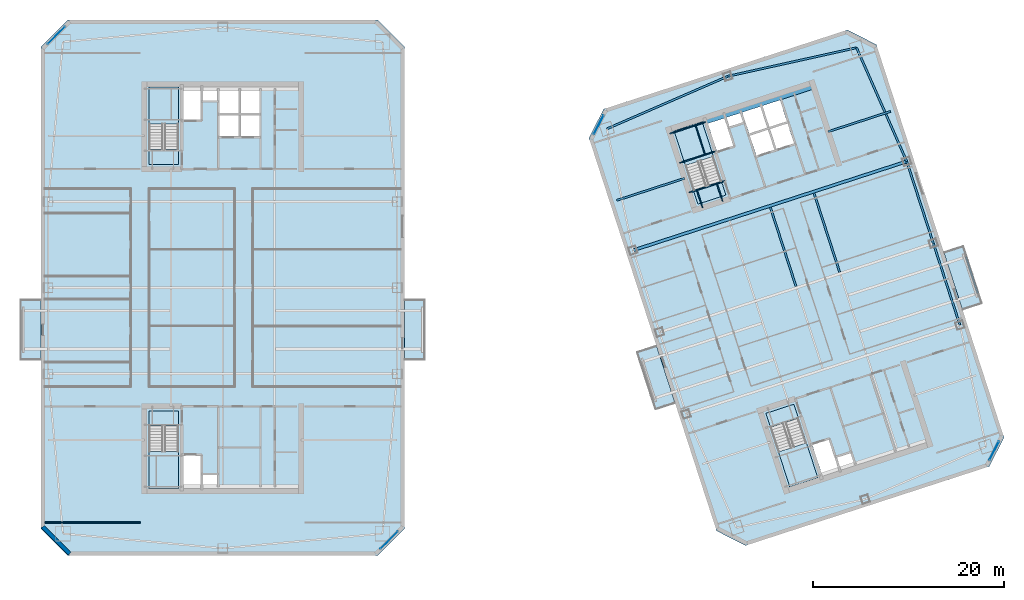
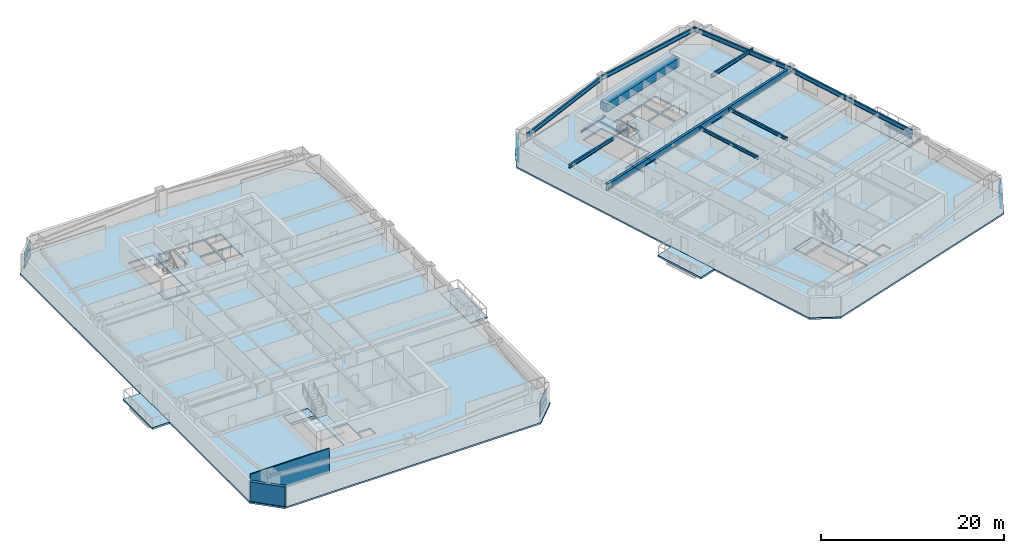
# One storey, part 11 of 22: 18 beams, 14 slabs, 8 plates, 2 walls, 8 elements without a shape of their own.
"""IFC4 building model written with IfcOpenShell, lengths in metres."""

from ifc_helpers import new_model, si_unit, direction, frame, frame_2d, origin, origin_2d, place, context, subcontext, project, spatial, polyline, rectangle, i_section, outline, extrude, material, layer, layer_set, material_profile, profile_set, type_object, element, aggregate, save


model = new_model("IFC4")

# Units and contexts
model_context = context("Model", 3, precision=1e-05, world=origin(), true_north=direction((0.0, 1.0)))
body_context = subcontext(model_context, "Body", "Model", "MODEL_VIEW")
ifc_project = project(units=[si_unit("LENGTHUNIT", "METRE"), si_unit("AREAUNIT", "SQUARE_METRE"), si_unit("VOLUMEUNIT", "CUBIC_METRE"), si_unit("PLANEANGLEUNIT", "RADIAN"), si_unit("MASSUNIT", "GRAM", prefix="KILO")], contexts=[model_context])

# Site, building, storey
site_placement = place(None, origin())
site = spatial("IfcSite", under=ifc_project, at=site_placement, CompositionType="ELEMENT")
building_placement = place(site_placement, origin())
building = spatial("IfcBuilding", under=site, at=building_placement, Name="Qiaolan Cultural Towers", CompositionType="ELEMENT")
storey_placement = place(building_placement, frame((0.0, 0.0, 146.050048828125)))
storey = spatial("IfcBuildingStorey", under=building, at=storey_placement, Name="L38", CompositionType="ELEMENT", Elevation=146.050048828125)

# Beams
ifc_material_1 = material(Name="Steel Q355B", Category="steel")
ifc_material_profile_1 = material_profile(ifc_material_1, i_section(OverallWidth=0.300048828125, OverallDepth=0.800048828125, WebThickness=0.013916015625, FlangeThickness=0.02587890625, at=origin_2d()), Name="HN800x300x14x26")
ifc_profile_set_1 = profile_set([ifc_material_profile_1], Name="Steel Q355B")
beam_type_1 = type_object("IfcBeamType", Name="BM-HN800x300x14x26", PredefinedType="BEAM", material=ifc_profile_set_1)
beam_1_placement = place(storey_placement, frame((72.905517578125, 37.90869140625, 2.7900390625), z_axis=(0.951055226628, 0.309020963535, 0.0), x_axis=(-0.309020963535, 0.951055226628, 0.0)))
element("IfcBeam", 1, at=beam_1_placement, inside=storey, type_object=beam_type_1, Name="L38 T2 Primary Transverse Girder V3", PredefinedType="BEAM", context=body_context, shape_type="SweptSolid", body=[
    extrude(i_section(OverallWidth=0.300048828125, OverallDepth=0.800048828125, WebThickness=0.013916015625, FlangeThickness=0.02587890625, at=origin_2d()), origin(), (0.0, 0.0, 1.0), 30.099853515625),
])
ifc_material_2 = material(Name="Steel Q355B", Category="steel")
ifc_material_profile_2 = material_profile(ifc_material_2, i_section(OverallWidth=0.175048828125, OverallDepth=0.35009765625, WebThickness=0.007080078125, FlangeThickness=0.010986328125, at=origin_2d()), Name="HN350x175x7x11")
ifc_profile_set_2 = profile_set([ifc_material_profile_2], Name="Steel Q355B")
beam_type_2 = type_object("IfcBeamType", Name="BM-JST-HN350x175x7x11", PredefinedType="JOIST", material=ifc_profile_set_2)
beam_2_placement = place(storey_placement, frame((108.9541015625, 33.42919921875, -0.524169921875), z_axis=(-0.309022586479, 0.951054699292, 0.0), x_axis=(-0.951054699292, -0.309022586479, 0.0)))
element("IfcBeam", 2, at=beam_2_placement, inside=storey, type_object=beam_type_2, Name="L38 T2 Tree Balcony Outer Edge Beam", PredefinedType="JOIST", context=body_context, shape_type="SweptSolid", body=[
    extrude(i_section(OverallWidth=0.175048828125, OverallDepth=0.35009765625, WebThickness=0.007080078125, FlangeThickness=0.010986328125, at=origin_2d()), origin(), (0.0, 0.0, 1.0), 4.0),
])
ifc_material_3 = material(Name="Steel Q355B", Category="steel")
ifc_material_profile_3 = material_profile(ifc_material_3, i_section(OverallWidth=0.199951171875, OverallDepth=0.39990234375, WebThickness=0.008056640625, FlangeThickness=0.012939453125, at=origin_2d()), Name="HN400x200x8x13")
ifc_profile_set_3 = profile_set([ifc_material_profile_3], Name="Steel Q355B")
beam_type_3 = type_object("IfcBeamType", Name="BM-JST-HN400x200x8x13", PredefinedType="JOIST", material=ifc_profile_set_3)
for number, where, z_axis, x_axis, name in (
    (3, (89.95361328125, 34.142578125, 2.989990234375), (-0.309020714809, 0.951055307445, 0.0), (-0.951055307445, -0.309020714809, 0.0), "L38 T2 Secondary Floor Joist U2-3"),
    (4, (94.518798828125, 35.6259765625, 2.989990234375), (-0.309020714809, 0.951055307445, 0.0), (-0.951055307445, -0.309020714809, 0.0), "L38 T2 Secondary Floor Joist U3-3"),
):
    element("IfcBeam", number, at=place(storey_placement, frame(where, z_axis=z_axis, x_axis=x_axis)), inside=storey, type_object=beam_type_3, Name=name, PredefinedType="JOIST", context=body_context, shape_type="SweptSolid", body=[
        extrude(i_section(OverallWidth=0.199951171875, OverallDepth=0.39990234375, WebThickness=0.008056640625, FlangeThickness=0.012939453125, at=origin_2d()), origin(), (0.0, 0.0, 1.0), 8.699951171875),
    ])
ifc_material_4 = material(Name="Steel Q355B", Category="steel")
ifc_material_profile_4 = material_profile(ifc_material_4, i_section(OverallWidth=0.199951171875, OverallDepth=0.449951171875, WebThickness=0.009033203125, FlangeThickness=0.013916015625, at=origin_2d()), Name="HN450x200x9x14")
ifc_profile_set_4 = profile_set([ifc_material_profile_4], Name="Steel Q355B")
beam_type_4 = type_object("IfcBeamType", Name="BM-LNT-HN450x200x9x14", PredefinedType="LINTEL", material=ifc_profile_set_4)
beam_3_placement = place(storey_placement, frame((78.291259765625, 45.44189453125, 2.96484375), z_axis=(-0.951054777171, -0.309022346796, 0.0), x_axis=(0.309022346796, -0.951054777171, 0.0)))
element("IfcBeam", 5, at=beam_3_placement, inside=storey, type_object=beam_type_4, Name="L38 T2 Core Flank Tie Lintel WN", PredefinedType="LINTEL", context=body_context, shape_type="SweptSolid", body=[
    extrude(i_section(OverallWidth=0.199951171875, OverallDepth=0.449951171875, WebThickness=0.009033203125, FlangeThickness=0.013916015625, at=origin_2d()), origin(), (0.0, 0.0, 1.0), 7.4501953125),
])
beam_4_placement = place(storey_placement, frame((93.31787109375, 50.32421875, 2.96484375), z_axis=(0.951061565824, 0.30900145309, 0.0), x_axis=(-0.30900145309, 0.951061565824, 0.0)))
element("IfcBeam", 6, at=beam_4_placement, inside=storey, type_object=beam_type_4, Name="L38 T2 Core Flank Tie Lintel EN", PredefinedType="LINTEL", context=body_context, shape_type="SweptSolid", body=[
    extrude(i_section(OverallWidth=0.199951171875, OverallDepth=0.449951171875, WebThickness=0.009033203125, FlangeThickness=0.013916015625, at=origin_2d()), origin(), (0.0, 0.0, 1.0), 6.85009765625),
])
ifc_material_5 = material(Name="Concrete C50", Category="concrete")
ifc_material_profile_5 = material_profile(ifc_material_5, rectangle(XDim=0.89990234375, YDim=1.10009765625, at=origin_2d()), Name="RC900x1100")
ifc_profile_set_5 = profile_set([ifc_material_profile_5], Name="Concrete C50")
beam_type_5 = type_object("IfcBeamType", Name="BM-RC900x1100", PredefinedType="BEAM", material=ifc_profile_set_5)
beam_5_placement = place(storey_placement, frame((80.427978515625, 51.551025390625, 2.639892578125), z_axis=(0.951056266386, 0.309017763514, 0.0), x_axis=(-0.309017763514, 0.951056266386, 0.0)))
element("IfcBeam", 7, at=beam_5_placement, inside=storey, type_object=beam_type_5, Name="L38 T2 Core Header Girder N", PredefinedType="BEAM", context=body_context, shape_type="SweptSolid", body=[
    extrude(rectangle(XDim=0.89990234375, YDim=1.10009765625, at=origin_2d()), origin(), (0.0, 0.0, 1.0), 11.880126953125),
])
ifc_material_6 = material(Name="Steel Q355B", Category="steel")
ifc_material_profile_6 = material_profile(ifc_material_6, i_section(OverallWidth=0.199951171875, OverallDepth=0.60009765625, WebThickness=0.010986328125, FlangeThickness=0.01708984375, at=origin_2d()), Name="HN600x200x11x17")
ifc_profile_set_6 = profile_set([ifc_material_profile_6], Name="Steel Q355B")
beam_type_6 = type_object("IfcBeamType", Name="BM-SPD-HN600x200x11x17", PredefinedType="SPANDREL", material=ifc_profile_set_6)
beam_6_placement = place(storey_placement, frame((107.094482421875, 30.09130859375, 2.889892578125), z_axis=(-0.309008170129, 0.951059383421, 0.0), x_axis=(-0.951059383421, -0.309008170129, 0.0)))
element("IfcBeam", 8, at=beam_6_placement, inside=storey, type_object=beam_type_6, Name="L38 T2 Perimeter Spandrel Beam 4", PredefinedType="SPANDREL", context=body_context, shape_type="SweptSolid", body=[
    extrude(i_section(OverallWidth=0.199951171875, OverallDepth=0.60009765625, WebThickness=0.010986328125, FlangeThickness=0.01708984375, at=origin_2d()), origin(), (0.0, 0.0, 1.0), 8.999755859375),
])
beam_7_placement = place(storey_placement, frame((104.3134765625, 38.650634765625, 2.889892578125), z_axis=(-0.309024734286, 0.951054001411, 0.0), x_axis=(-0.951054001411, -0.309024734286, 0.0)))
element("IfcBeam", 9, at=beam_7_placement, inside=storey, type_object=beam_type_6, Name="L38 T2 Perimeter Spandrel Beam 5", PredefinedType="SPANDREL", context=body_context, shape_type="SweptSolid", body=[
    extrude(i_section(OverallWidth=0.199951171875, OverallDepth=0.60009765625, WebThickness=0.010986328125, FlangeThickness=0.01708984375, at=origin_2d()), origin(), (0.0, 0.0, 1.0), 9.0),
])
beam_8_placement = place(storey_placement, frame((101.5322265625, 47.210205078125, 2.889892578125), z_axis=(-0.404011070002, 0.914754095545, 0.0), x_axis=(-0.914754095545, -0.404011070002, 0.0)))
element("IfcBeam", 10, at=beam_8_placement, inside=storey, type_object=beam_type_6, Name="L38 T2 Perimeter Spandrel Beam 6", PredefinedType="SPANDREL", context=body_context, shape_type="SweptSolid", body=[
    extrude(i_section(OverallWidth=0.199951171875, OverallDepth=0.60009765625, WebThickness=0.010986328125, FlangeThickness=0.01708984375, at=origin_2d()), origin(), (0.0, 0.0, 1.0), 12.9970703125),
])
beam_9_placement = place(storey_placement, frame((96.28125, 59.099365234375, 2.889892578125), z_axis=(-0.976265293399, -0.216578108094, 0.0), x_axis=(0.216578108094, -0.976265293399, 0.0)))
element("IfcBeam", 11, at=beam_9_placement, inside=storey, type_object=beam_type_6, Name="L38 T2 Perimeter Spandrel Beam 7", PredefinedType="SPANDREL", context=body_context, shape_type="SweptSolid", body=[
    extrude(i_section(OverallWidth=0.199951171875, OverallDepth=0.60009765625, WebThickness=0.010986328125, FlangeThickness=0.01708984375, at=origin_2d()), origin(), (0.0, 0.0, 1.0), 13.793212890625),
])
beam_10_placement = place(storey_placement, frame((82.8154296875, 56.112060546875, 2.889892578125), z_axis=(-0.917117043091, -0.398618024268, 0.0), x_axis=(0.398618024268, -0.917117043091, 0.0)))
element("IfcBeam", 12, at=beam_10_placement, inside=storey, type_object=beam_type_6, Name="L38 T2 Perimeter Spandrel Beam 8", PredefinedType="SPANDREL", context=body_context, shape_type="SweptSolid", body=[
    extrude(i_section(OverallWidth=0.199951171875, OverallDepth=0.60009765625, WebThickness=0.010986328125, FlangeThickness=0.01708984375, at=origin_2d()), origin(), (0.0, 0.0, 1.0), 13.79345703125),
])
ifc_material_7 = material(Name="Steel Q355B", Category="steel")
ifc_material_profile_7 = material_profile(ifc_material_7, i_section(OverallWidth=0.10009765625, OverallDepth=0.199951171875, WebThickness=0.005615234375, FlangeThickness=0.008056640625, at=origin_2d()), Name="HN200x100x5.5x8")
ifc_profile_set_7 = profile_set([ifc_material_profile_7], Name="Steel Q355B")
beam_type_7 = type_object("IfcBeamType", Name="BM-STTRIM-200", PredefinedType="BEAM", material=ifc_profile_set_7)
beam_11_placement = place(storey_placement, frame((78.773193359375, 43.958251953125, -0.4599609375), z_axis=(0.951072048947, 0.3089691857, 0.0), x_axis=(-0.3089691857, 0.951072048947, 0.0)))
element("IfcBeam", 13, at=beam_11_placement, inside=storey, type_object=beam_type_7, Name="L38 ST-E2 Floor Landing Header Beam", PredefinedType="BEAM", context=body_context, shape_type="SweptSolid", body=[
    extrude(i_section(OverallWidth=0.10009765625, OverallDepth=0.199951171875, WebThickness=0.005615234375, FlangeThickness=0.008056640625, at=origin_2d()), origin(), (0.0, 0.0, 1.0), 3.920166015625),
])
for number, where, z_axis, x_axis, name in (
    (14, (80.18115234375, 42.375732421875, -0.4599609375), (-0.308969394428, 0.951071981138, 0.0), (-0.951071981138, -0.308969394428, 0.0), "L38 ST-E2 Floor Landing Stringer 1"),
    (15, (82.2734375, 43.0556640625, -0.4599609375), (-0.308969394428, 0.951071981138, 0.0), (-0.951071981138, -0.308969394428, 0.0), "L38 ST-E2 Floor Landing Stringer 2"),
):
    element("IfcBeam", number, at=place(storey_placement, frame(where, z_axis=z_axis, x_axis=x_axis)), inside=storey, type_object=beam_type_7, Name=name, PredefinedType="BEAM", context=body_context, shape_type="SweptSolid", body=[
        extrude(i_section(OverallWidth=0.10009765625, OverallDepth=0.199951171875, WebThickness=0.005615234375, FlangeThickness=0.008056640625, at=origin_2d()), origin(), (0.0, 0.0, 1.0), 1.93994140625),
    ])
for number, where, z_axis, x_axis, name in (
    (16, (77.769287109375, 47.0478515625, 1.425048828125), (0.951053746643, 0.309025518358, 0.0), (-0.309025518358, 0.951053746643, 0.0), "L38 ST-E2 Stair Landing Support Beam 1-1"),
    (17, (76.770751953125, 50.12109375, 1.425048828125), (0.951072048947, 0.3089691857, 0.0), (-0.3089691857, 0.951072048947, 0.0), "L38 ST-E2 Stair Landing Support Beam 1-2"),
):
    element("IfcBeam", number, at=place(storey_placement, frame(where, z_axis=z_axis, x_axis=x_axis)), inside=storey, type_object=beam_type_7, Name=name, PredefinedType="BEAM", context=body_context, shape_type="SweptSolid", body=[
        extrude(i_section(OverallWidth=0.10009765625, OverallDepth=0.199951171875, WebThickness=0.005615234375, FlangeThickness=0.008056640625, at=origin_2d()), origin(), (0.0, 0.0, 1.0), 3.920166015625),
    ])
beam_12_placement = place(storey_placement, frame((80.44189453125, 47.916259765625, 1.425048828125), z_axis=(-0.309033108495, 0.951051280349, 0.0), x_axis=(-0.951051280349, -0.309033108495, 0.0)))
element("IfcBeam", 18, at=beam_12_placement, inside=storey, type_object=beam_type_7, Name="L38 ST-E2 Stair Landing Trimmer 1", PredefinedType="BEAM", context=body_context, shape_type="SweptSolid", body=[
    extrude(i_section(OverallWidth=0.10009765625, OverallDepth=0.199951171875, WebThickness=0.005615234375, FlangeThickness=0.008056640625, at=origin_2d()), origin(), (0.0, 0.0, 1.0), 3.231201171875),
])

# Curtain wall, plates
ifc_material_8 = material(Name="Unitized Anodized Aluminium Curtain Wall System", Category="aluminium")
ifc_layer_1 = layer(ifc_material_8, 0.199951171875)
ifc_layer_set_1 = layer_set([ifc_layer_1], Name="Unitized Anodized Aluminium Curtain Wall System")
curtain_wall_type = type_object("IfcCurtainWallType", Name="CWS-03", PredefinedType="NOTDEFINED", material=ifc_layer_set_1)
curtain_wall_1_placement = place(storey_placement, origin())
curtain_wall_1 = element("IfcCurtainWall", 19, at=curtain_wall_1_placement, inside=storey, type_object=curtain_wall_type, Name="L38 T1 Chamfer Wind-Corner Feature Curtain Wall 1", PredefinedType="NOTDEFINED")
ifc_material_9 = material(Name="Laminated Low-E Insulating Glass Unit", Category="glass")
ifc_layer_2 = layer(ifc_material_9, 0.035888671875)
ifc_layer_set_2 = layer_set([ifc_layer_2], Name="Laminated Low-E Insulating Glass Unit")
plate_type = type_object("IfcPlateType", Name="CWS-03-PNL", PredefinedType="CURTAIN_PANEL", material=ifc_layer_set_2)
plate_1_placement = place(storey_placement, frame((12.60009765625, 60.39990234375, 0.215087890625), z_axis=(0.0, 0.0, 1.0), x_axis=(0.707106781187, 0.707106781187, 0.0)))
plate_1 = element("IfcPlate", 20, at=plate_1_placement, type_object=plate_type, Name="CW-3 panel 1.1", PredefinedType="CURTAIN_PANEL", context=body_context, shape_type="SweptSolid", body=[
    extrude(rectangle(XDim=2.542724609375, YDim=0.035888671875, at=origin_2d()), origin(), (0.0, 0.0, 1.0), 1.00244140625),
])
plate_2_placement = place(storey_placement, frame((12.60009765625, 60.39990234375, 1.282470703125), z_axis=(0.0, 0.0, 1.0), x_axis=(0.707106781187, 0.707106781187, 0.0)))
plate_2 = element("IfcPlate", 21, at=plate_2_placement, type_object=plate_type, Name="CW-3 panel 1.2", PredefinedType="CURTAIN_PANEL", context=body_context, shape_type="SweptSolid", body=[
    extrude(rectangle(XDim=2.542724609375, YDim=0.035888671875, at=origin_2d()), origin(), (0.0, 0.0, 1.0), 1.16259765625),
])
aggregate(curtain_wall_1, [plate_1, plate_2])

curtain_wall_2_placement = place(storey_placement, origin())
curtain_wall_2 = element("IfcCurtainWall", 22, at=curtain_wall_2_placement, inside=storey, type_object=curtain_wall_type, Name="L38 T1 Chamfer Wind-Corner Feature Curtain Wall 2", PredefinedType="NOTDEFINED")
plate_3_placement = place(storey_placement, frame((47.39990234375, 7.60009765625, 0.215087890625), z_axis=(0.0, 0.0, 1.0), x_axis=(-0.707106781187, -0.707106781187, 0.0)))
plate_3 = element("IfcPlate", 23, at=plate_3_placement, type_object=plate_type, Name="CW-3 panel 1.1", PredefinedType="CURTAIN_PANEL", context=body_context, shape_type="SweptSolid", body=[
    extrude(rectangle(XDim=2.542724609375, YDim=0.035888671875, at=origin_2d()), origin(), (0.0, 0.0, 1.0), 1.00244140625),
])
plate_4_placement = place(storey_placement, frame((47.39990234375, 7.60009765625, 1.282470703125), z_axis=(0.0, 0.0, 1.0), x_axis=(-0.707106781187, -0.707106781187, 0.0)))
plate_4 = element("IfcPlate", 24, at=plate_4_placement, type_object=plate_type, Name="CW-3 panel 1.2", PredefinedType="CURTAIN_PANEL", context=body_context, shape_type="SweptSolid", body=[
    extrude(rectangle(XDim=2.542724609375, YDim=0.035888671875, at=origin_2d()), origin(), (0.0, 0.0, 1.0), 1.16259765625),
])
aggregate(curtain_wall_2, [plate_3, plate_4])

curtain_wall_3_placement = place(storey_placement, origin())
curtain_wall_3 = element("IfcCurtainWall", 25, at=curtain_wall_3_placement, inside=storey, type_object=curtain_wall_type, Name="L38 T2 Chamfer Wind-Corner Feature Curtain Wall 1", PredefinedType="NOTDEFINED")
plate_5_placement = place(storey_placement, frame((69.321044921875, 51.0439453125, 0.215087890625), z_axis=(0.0, 0.0, 1.0), x_axis=(0.453990491186, 0.891006528546, 0.0)))
plate_5 = element("IfcPlate", 26, at=plate_5_placement, type_object=plate_type, Name="CW-3 panel 1.1", PredefinedType="CURTAIN_PANEL", context=body_context, shape_type="SweptSolid", body=[
    extrude(rectangle(XDim=2.157958984375, YDim=0.035888671875, at=origin_2d()), origin(), (0.0, 0.0, 1.0), 1.00244140625),
])
plate_6_placement = place(storey_placement, frame((69.321044921875, 51.0439453125, 1.282470703125), z_axis=(0.0, 0.0, 1.0), x_axis=(0.453990491186, 0.891006528546, 0.0)))
plate_6 = element("IfcPlate", 27, at=plate_6_placement, type_object=plate_type, Name="CW-3 panel 1.2", PredefinedType="CURTAIN_PANEL", context=body_context, shape_type="SweptSolid", body=[
    extrude(rectangle(XDim=2.157958984375, YDim=0.035888671875, at=origin_2d()), origin(), (0.0, 0.0, 1.0), 1.16259765625),
])
aggregate(curtain_wall_3, [plate_5, plate_6])

curtain_wall_4_placement = place(storey_placement, origin())
curtain_wall_4 = element("IfcCurtainWall", 28, at=curtain_wall_4_placement, inside=storey, type_object=curtain_wall_type, Name="L38 T2 Chamfer Wind-Corner Feature Curtain Wall 2", PredefinedType="NOTDEFINED")
plate_7_placement = place(storey_placement, frame((110.678955078125, 16.9560546875, 0.215087890625), z_axis=(0.0, 0.0, 1.0), x_axis=(-0.453990491186, -0.891006528546, 0.0)))
plate_7 = element("IfcPlate", 29, at=plate_7_placement, type_object=plate_type, Name="CW-3 panel 1.1", PredefinedType="CURTAIN_PANEL", context=body_context, shape_type="SweptSolid", body=[
    extrude(rectangle(XDim=2.157958984375, YDim=0.035888671875, at=origin_2d()), origin(), (0.0, 0.0, 1.0), 1.00244140625),
])
plate_8_placement = place(storey_placement, frame((110.678955078125, 16.9560546875, 1.282470703125), z_axis=(0.0, 0.0, 1.0), x_axis=(-0.453990491186, -0.891006528546, 0.0)))
plate_8 = element("IfcPlate", 30, at=plate_8_placement, type_object=plate_type, Name="CW-3 panel 1.2", PredefinedType="CURTAIN_PANEL", context=body_context, shape_type="SweptSolid", body=[
    extrude(rectangle(XDim=2.157958984375, YDim=0.035888671875, at=origin_2d()), origin(), (0.0, 0.0, 1.0), 1.16259765625),
])
aggregate(curtain_wall_4, [plate_7, plate_8])

# Slabs
ifc_material_10 = material(Name="Concrete C45", Category="concrete")
ifc_layer_3 = layer(ifc_material_10, 0.239990234375)
ifc_layer_set_3 = layer_set([ifc_layer_3], Name="Concrete C45")
slab_type_1 = type_object("IfcSlabType", Name="SL-BAL-240", PredefinedType="FLOOR", material=ifc_layer_set_3)
slab_1_placement = place(storey_placement, frame((0.0, 0.0, -0.239990234375)))
element("IfcSlab", 31, at=slab_1_placement, inside=storey, type_object=slab_type_1, Name="L38 T1 Planted Tree Balcony W", PredefinedType="FLOOR", context=body_context, shape_type="SweptSolid", body=[
    extrude(outline(polyline([(8.800048828125, 26.39990234375), (11.0, 26.39990234375), (11.0, 32.800048828125), (8.800048828125, 32.800048828125), (8.800048828125, 26.39990234375)])), origin(), (0.0, 0.0, 1.0), 0.239990234375),
])
slab_2_placement = place(storey_placement, frame((0.0, 0.0, -0.239990234375)))
element("IfcSlab", 32, at=slab_2_placement, inside=storey, type_object=slab_type_1, Name="L38 T1 Planted Tree Balcony E", PredefinedType="FLOOR", context=body_context, shape_type="SweptSolid", body=[
    extrude(outline(polyline([(49.0, 26.39990234375), (51.199951171875, 26.39990234375), (51.199951171875, 32.800048828125), (49.0, 32.800048828125), (49.0, 26.39990234375)])), origin(), (0.0, 0.0, 1.0), 0.239990234375),
])
slab_3_placement = place(storey_placement, frame((0.0, 0.0, -0.239990234375)))
element("IfcSlab", 33, at=slab_3_placement, inside=storey, type_object=slab_type_1, Name="L38 T2 Planted Tree Balcony W", PredefinedType="FLOOR", context=body_context, shape_type="SweptSolid", body=[
    extrude(outline(polyline([(75.2294921875, 21.209716796875), (77.32177734375, 21.889404296875), (75.34423828125, 27.976318359375), (73.251708984375, 27.29638671875), (75.2294921875, 21.209716796875)])), origin(), (0.0, 0.0, 1.0), 0.239990234375),
])
slab_4_placement = place(storey_placement, frame((0.0, 0.0, -0.239990234375)))
element("IfcSlab", 34, at=slab_4_placement, inside=storey, type_object=slab_type_1, Name="L38 T2 Planted Tree Balcony E", PredefinedType="FLOOR", context=body_context, shape_type="SweptSolid", body=[
    extrude(outline(polyline([(107.375244140625, 31.654541015625), (109.467529296875, 32.334228515625), (107.48974609375, 38.421142578125), (105.3974609375, 37.7412109375), (107.375244140625, 31.654541015625)])), origin(), (0.0, 0.0, 1.0), 0.239990234375),
])

# Stair, slab
ifc_material_11 = material(Name="Concrete C45", Category="concrete")
stair_type = type_object("IfcStairType", Name="STR-CORE-1500", PredefinedType="HALF_TURN_STAIR", material=ifc_material_11)
stair_1_placement = place(storey_placement, origin())
stair_1 = element("IfcStair", 35, at=stair_1_placement, inside=storey, type_object=stair_type, Name="L38 Smokeproof Exit Stair ST-W1", PredefinedType="HALF_TURN_STAIR")
ifc_material_12 = material(Name="Concrete C45", Category="concrete")
ifc_layer_4 = layer(ifc_material_12, 0.199951171875)
ifc_layer_set_4 = layer_set([ifc_layer_4], Name="Concrete C45")
slab_type_2 = type_object("IfcSlabType", Name="SL-STAIR-LAND", PredefinedType="LANDING", material=ifc_layer_set_4)
slab_5_placement = place(storey_placement, frame((0.0, 0.0, 1.52490234375)))
slab_5 = element("IfcSlab", 36, at=slab_5_placement, type_object=slab_type_2, Name="ST-W1 landing 1", PredefinedType="LANDING", context=body_context, shape_type="SweptSolid", body=[
    extrude(outline(polyline([(22.300048828125, 16.851318359375), (22.300048828125, 13.0), (25.3798828125, 13.0), (25.3798828125, 16.851318359375), (22.300048828125, 16.851318359375)])), origin(), (0.0, 0.0, 1.0), 0.199951171875),
])
aggregate(stair_1, [slab_5])

stair_2_placement = place(storey_placement, origin())
stair_2 = element("IfcStair", 37, at=stair_2_placement, inside=storey, type_object=stair_type, Name="L38 Smokeproof Exit Stair ST-W2", PredefinedType="HALF_TURN_STAIR")
slab_6_placement = place(storey_placement, frame((0.0, 0.0, 1.52490234375)))
slab_6 = element("IfcSlab", 38, at=slab_6_placement, type_object=slab_type_2, Name="ST-W2 landing 1", PredefinedType="LANDING", context=body_context, shape_type="SweptSolid", body=[
    extrude(outline(polyline([(25.3798828125, 51.148681640625), (25.3798828125, 55.0), (22.300048828125, 55.0), (22.300048828125, 51.148681640625), (25.3798828125, 51.148681640625)])), origin(), (0.0, 0.0, 1.0), 0.199951171875),
])
aggregate(stair_2, [slab_6])

stair_3_placement = place(storey_placement, origin())
stair_3 = element("IfcStair", 39, at=stair_3_placement, inside=storey, type_object=stair_type, Name="L38 Smokeproof Exit Stair ST-E1", PredefinedType="HALF_TURN_STAIR")
slab_7_placement = place(storey_placement, frame((0.0, 0.0, 1.52490234375)))
slab_7 = element("IfcSlab", 40, at=slab_7_placement, type_object=slab_type_2, Name="ST-E1 landing 1", PredefinedType="LANDING", context=body_context, shape_type="SweptSolid", body=[
    extrude(outline(polyline([(88.114013671875, 16.828125), (89.30419921875, 13.165283203125), (92.2333984375, 14.116943359375), (91.04345703125, 17.77978515625), (88.114013671875, 16.828125)])), origin(), (0.0, 0.0, 1.0), 0.199951171875),
])
aggregate(stair_3, [slab_7])

stair_4_placement = place(storey_placement, origin())
stair_4 = element("IfcStair", 41, at=stair_4_placement, inside=storey, type_object=stair_type, Name="L38 Smokeproof Exit Stair ST-E2", PredefinedType="HALF_TURN_STAIR")
slab_8_placement = place(storey_placement, frame((0.0, 0.0, 1.52490234375)))
slab_8 = element("IfcSlab", 42, at=slab_8_placement, type_object=slab_type_2, Name="ST-E2 landing 1", PredefinedType="LANDING", context=body_context, shape_type="SweptSolid", body=[
    extrude(outline(polyline([(81.31005859375, 47.735595703125), (80.1201171875, 51.3984375), (77.190673828125, 50.44677734375), (78.380859375, 46.783935546875), (81.31005859375, 47.735595703125)])), origin(), (0.0, 0.0, 1.0), 0.199951171875),
])
aggregate(stair_4, [slab_8])

# Slabs
ifc_material_13 = material(Name="Concrete C40", Category="concrete")
ifc_layer_5 = layer(ifc_material_13, 0.360107421875)
ifc_layer_set_5 = layer_set([ifc_layer_5], Name="Concrete C40")
slab_type_3 = type_object("IfcSlabType", Name="SL-STFLR-360", PredefinedType="LANDING", material=ifc_layer_set_5)
slab_9_placement = place(storey_placement, frame((0.0, 0.0, -0.360107421875)))
element("IfcSlab", 43, at=slab_9_placement, inside=storey, type_object=slab_type_3, Name="L38 ST-W1 Stair Floor Landing Slab", PredefinedType="LANDING", context=body_context, shape_type="SweptSolid", body=[
    extrude(outline(polyline([(22.302001953125, 21.097900390625), (22.302001953125, 19.548583984375), (25.3779296875, 19.548583984375), (25.3779296875, 21.097900390625), (22.302001953125, 21.097900390625)])), origin(), (0.0, 0.0, 1.0), 0.360107421875),
])
slab_10_placement = place(storey_placement, frame((0.0, 0.0, -0.360107421875)))
element("IfcSlab", 44, at=slab_10_placement, inside=storey, type_object=slab_type_3, Name="L38 ST-W2 Stair Floor Landing Slab", PredefinedType="LANDING", context=body_context, shape_type="SweptSolid", body=[
    extrude(outline(polyline([(25.3779296875, 46.902099609375), (25.3779296875, 48.451416015625), (22.302001953125, 48.451416015625), (22.302001953125, 46.902099609375), (25.3779296875, 46.902099609375)])), origin(), (0.0, 0.0, 1.0), 0.360107421875),
])
slab_11_placement = place(storey_placement, frame((0.0, 0.0, -0.360107421875)))
element("IfcSlab", 45, at=slab_11_placement, inside=storey, type_object=slab_type_3, Name="L38 ST-E1 Stair Floor Landing Slab", PredefinedType="LANDING", context=body_context, shape_type="SweptSolid", body=[
    extrude(outline(polyline([(86.8037109375, 20.867431640625), (87.282470703125, 19.39404296875), (90.2080078125, 20.3447265625), (89.729248046875, 21.818115234375), (86.8037109375, 20.867431640625)])), origin(), (0.0, 0.0, 1.0), 0.360107421875),
])
slab_12_placement = place(storey_placement, frame((0.0, 0.0, -0.360107421875)))
element("IfcSlab", 46, at=slab_12_placement, inside=storey, type_object=slab_type_3, Name="L38 ST-E2 Stair Floor Landing Slab", PredefinedType="LANDING", context=body_context, shape_type="SweptSolid", body=[
    extrude(outline(polyline([(82.62060546875, 43.6962890625), (82.141845703125, 45.169677734375), (79.21630859375, 44.21923828125), (79.695068359375, 42.74560546875), (82.62060546875, 43.6962890625)])), origin(), (0.0, 0.0, 1.0), 0.360107421875),
])
ifc_material_14 = material(Name="Concrete C45", Category="concrete")
ifc_layer_6 = layer(ifc_material_14, 0.219970703125)
ifc_layer_set_6 = layer_set([ifc_layer_6], Name="Concrete C45")
slab_type_4 = type_object("IfcSlabType", Name="SL-TYP-220", PredefinedType="FLOOR", material=ifc_layer_set_6)
slab_13_placement = place(storey_placement, frame((0.0, 0.0, -0.219970703125)))
element("IfcSlab", 47, at=slab_13_placement, inside=storey, type_object=slab_type_4, Name="L38 West Tower Floor Slab", PredefinedType="FLOOR", context=body_context, shape_type="SweptSolid", body=[
    extrude(outline(polyline([(13.800048828125, 6.0), (46.199951171875, 6.0), (49.0, 8.800048828125), (49.0, 59.199951171875), (46.199951171875, 62.0), (13.800048828125, 62.0), (11.0, 59.199951171875), (11.0, 8.800048828125), (13.800048828125, 6.0)]), holes=[polyline([(22.300048828125, 21.10009765625), (22.300048828125, 13.0), (25.3798828125, 13.0), (25.3798828125, 21.10009765625), (22.300048828125, 21.10009765625)]), polyline([(25.3798828125, 46.89990234375), (25.3798828125, 55.0), (22.300048828125, 55.0), (22.300048828125, 46.89990234375), (25.3798828125, 46.89990234375)]), polyline([(25.89990234375, 13.199951171875), (27.75, 13.199951171875), (27.75, 16.449951171875), (25.89990234375, 16.449951171875), (25.89990234375, 13.199951171875)]), polyline([(27.93994140625, 13.25), (29.449951171875, 13.25), (29.449951171875, 14.419921875), (27.93994140625, 14.419921875), (27.93994140625, 13.25)]), polyline([(25.89990234375, 51.550048828125), (27.75, 51.550048828125), (27.75, 54.800048828125), (25.89990234375, 54.800048828125), (25.89990234375, 51.550048828125)]), polyline([(27.93994140625, 53.580078125), (29.449951171875, 53.580078125), (29.449951171875, 54.75), (27.93994140625, 54.75), (27.93994140625, 53.580078125)]), polyline([(29.679931640625, 49.820068359375), (31.679931640625, 49.820068359375), (31.679931640625, 52.080078125), (29.679931640625, 52.080078125), (29.679931640625, 49.820068359375)]), polyline([(31.8798828125, 49.820068359375), (33.820068359375, 49.820068359375), (33.820068359375, 52.080078125), (31.8798828125, 52.080078125), (31.8798828125, 49.820068359375)]), polyline([(29.679931640625, 52.27001953125), (31.659912109375, 52.27001953125), (31.659912109375, 54.75), (29.679931640625, 54.75), (29.679931640625, 52.27001953125)]), polyline([(31.8798828125, 52.27001953125), (33.820068359375, 52.27001953125), (33.820068359375, 54.75), (31.8798828125, 54.75), (31.8798828125, 52.27001953125)])]), origin(), (0.0, 0.0, 1.0), 0.219970703125),
])
slab_14_placement = place(storey_placement, frame((0.0, 0.0, -0.219970703125)))
element("IfcSlab", 48, at=slab_14_placement, inside=storey, type_object=slab_type_4, Name="L38 East Tower Floor Slab", PredefinedType="FLOOR", context=body_context, shape_type="SweptSolid", body=[
    extrude(outline(polyline([(84.67236328125, 7.033935546875), (110.16064453125, 15.3154296875), (111.701416015625, 18.339599609375), (98.351806640625, 59.42529296875), (95.32763671875, 60.966064453125), (69.83935546875, 52.6845703125), (68.298583984375, 49.660400390625), (81.648193359375, 8.57470703125), (84.67236328125, 7.033935546875)]), holes=[polyline([(86.80126953125, 20.868896484375), (89.30419921875, 13.165283203125), (92.2333984375, 14.116943359375), (89.73046875, 21.820556640625), (86.80126953125, 20.868896484375)]), polyline([(82.623046875, 43.69482421875), (80.1201171875, 51.3984375), (77.190673828125, 50.44677734375), (79.69384765625, 42.7431640625), (82.623046875, 43.69482421875)]), polyline([(92.666259765625, 14.468017578125), (94.42578125, 15.03955078125), (93.42138671875, 18.130615234375), (91.661865234375, 17.558837890625), (92.666259765625, 14.468017578125)]), polyline([(94.5908203125, 15.14599609375), (96.027099609375, 15.612548828125), (95.66552734375, 16.725341796875), (94.2294921875, 16.258544921875), (94.5908203125, 15.14599609375)]), polyline([(81.6806640625, 48.278076171875), (83.440185546875, 48.849609375), (82.435791015625, 51.940673828125), (80.67626953125, 51.368896484375), (81.6806640625, 48.278076171875)]), polyline([(82.993408203125, 50.839111328125), (84.4296875, 51.3056640625), (84.068115234375, 52.41845703125), (82.632080078125, 51.95166015625), (82.993408203125, 50.839111328125)]), polyline([(85.810302734375, 47.80078125), (87.71240234375, 48.418701171875), (87.013916015625, 50.568115234375), (85.11181640625, 49.9501953125), (85.810302734375, 47.80078125)]), polyline([(87.902587890625, 48.480712890625), (89.74755859375, 49.080078125), (89.04931640625, 51.2294921875), (87.2041015625, 50.6298828125), (87.902587890625, 48.480712890625)]), polyline([(85.05322265625, 50.130859375), (86.936279296875, 50.74267578125), (86.169921875, 53.101318359375), (84.286865234375, 52.489501953125), (85.05322265625, 50.130859375)]), polyline([(87.1455078125, 50.810791015625), (88.990478515625, 51.41015625), (88.22412109375, 53.768798828125), (86.379150390625, 53.169189453125), (87.1455078125, 50.810791015625)])]), origin(), (0.0, 0.0, 1.0), 0.219970703125),
])

# Walls
ifc_material_15 = material(Name="Precast Concrete C50 Honed Stone Pier", Category="masonry")
ifc_layer_7 = layer(ifc_material_15, 0.39990234375)
ifc_layer_set_7 = layer_set([ifc_layer_7], Name="Precast Concrete C50 Honed Stone Pier")
wall_type_1 = type_object("IfcWallType", Name="WL-EXT-PIER-400", PredefinedType="SOLIDWALL", material=ifc_layer_set_7)
wall_1_placement = place(storey_placement, frame((14.0, 6.199951171875, 0.0), z_axis=(0.0, 0.0, 1.0), x_axis=(-0.707106781187, 0.707106781187, 0.0)))
element("IfcWall", 49, at=wall_1_placement, inside=storey, type_object=wall_type_1, Name="L38 West Tower Precast Pier Facade Wall F8", PredefinedType="SOLIDWALL", context=body_context, shape_type="SweptSolid", body=[
    extrude(rectangle(XDim=3.9599609375, YDim=0.39990234375, at=frame_2d((1.97998046875, 0.0))), origin(), (0.0, 0.0, 1.0), 2.60986328125),
])
ifc_material_16 = material(Name="Autoclaved Aerated Concrete Block B06", Category="concrete")
ifc_layer_8 = layer(ifc_material_16, 0.14990234375)
ifc_layer_set_8 = layer_set([ifc_layer_8], Name="Autoclaved Aerated Concrete Block B06")
wall_type_2 = type_object("IfcWallType", Name="WL-PART-150", PredefinedType="PARTITIONING", material=ifc_layer_set_8)
wall_2_placement = place(storey_placement, frame((11.39990234375, 9.449951171875, 0.0), z_axis=(0.0, 0.0, 1.0), x_axis=(1.0, 0.0, 0.0)))
element("IfcWall", 50, at=wall_2_placement, inside=storey, type_object=wall_type_2, Name="L38 T1 Flank Wall FLK-SW", PredefinedType="PARTITIONING", context=body_context, shape_type="SweptSolid", body=[
    extrude(rectangle(XDim=10.0, YDim=0.14990234375, at=frame_2d((5.0, 0.0))), origin(), (0.0, 0.0, 1.0), 3.175048828125),
])

save(model, "model.ifc")
